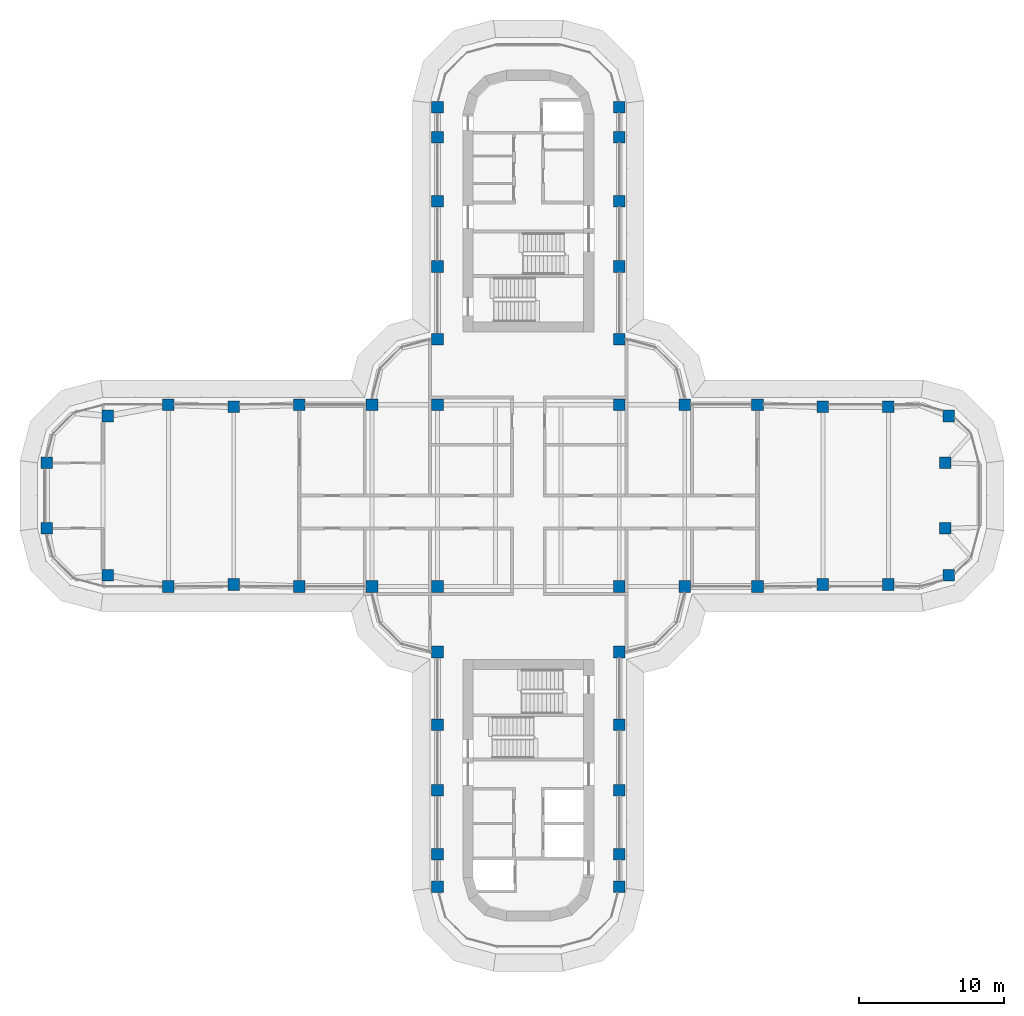
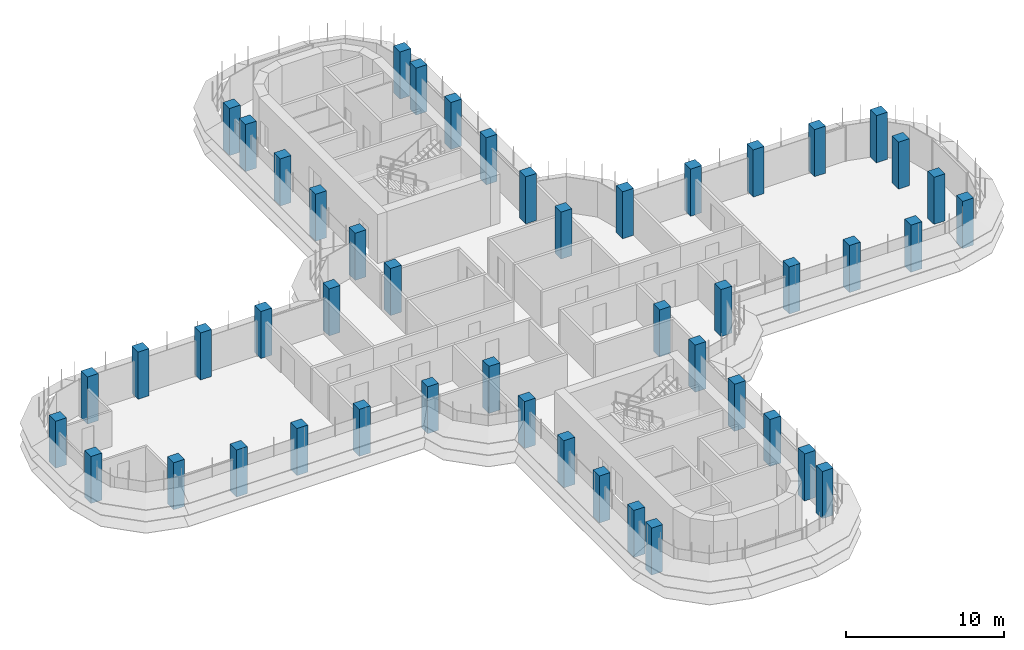
# One storey, part 1 of 20: 48 columns.
"""IFC4 building model written with IfcOpenShell, lengths in metres."""

from ifc_helpers import new_model, si_unit, direction, frame, origin, origin_2d, place, context, subcontext, project, spatial, rectangle, extrude, material, material_profile, profile_set, type_object, element, save


model = new_model("IFC4")

# Units and contexts
model_context = context("Model", 3, precision=1e-05, world=origin(), true_north=direction((0.0, 1.0)))
body_context = subcontext(model_context, "Body", "Model", "MODEL_VIEW")
ifc_project = project(units=[si_unit("LENGTHUNIT", "METRE"), si_unit("AREAUNIT", "SQUARE_METRE"), si_unit("VOLUMEUNIT", "CUBIC_METRE"), si_unit("PLANEANGLEUNIT", "RADIAN"), si_unit("MASSUNIT", "GRAM", prefix="KILO")], contexts=[model_context])

# Site, building, storey
site_placement = place(None, origin())
site = spatial("IfcSite", under=ifc_project, at=site_placement, CompositionType="ELEMENT")
building_placement = place(site_placement, origin())
building = spatial("IfcBuilding", under=site, at=building_placement, Name="Zarbagh Exchange Tower", CompositionType="ELEMENT")
storey_placement = place(building_placement, frame((0.0, 0.0, 163.800048828125)))
storey = spatial("IfcBuildingStorey", under=building, at=storey_placement, Name="L39", CompositionType="ELEMENT", Elevation=163.800048828125)

# Columns
ifc_material = material(Name="Concrete C50/60", Category="concrete")
ifc_material_profile = material_profile(ifc_material, rectangle(XDim=0.800048828125, YDim=0.800048828125, at=origin_2d()), Name="RC column 800 x 800 C50/60")
ifc_profile_set = profile_set([ifc_material_profile], Name="Concrete C50/60")
column_type = type_object("IfcColumnType", Name="RC column 800 x 800 C50/60", PredefinedType="COLUMN", material=ifc_profile_set)
for number, where, z_axis, x_axis, name in (
    (1, (-33.110107421875, -2.25, 0.0), (0.0, 0.0, 1.0), (1.0, 0.0, 0.0), "C4 10/S"),
    (2, (-33.110107421875, 2.25, 0.0), (0.0, 0.0, 1.0), (1.0, 0.0, 0.0), "C4 10/T"),
    (3, (-28.907958984375, -5.47509765625, 0.0), (0.0, 0.0, 1.0), (1.0, 0.0, 0.0), "C4 11/R"),
    (4, (-28.907958984375, 5.47509765625, 0.0), (0.0, 0.0, 1.0), (1.0, 0.0, 0.0), "C4 11/U"),
    (5, (-24.75, -6.25, 0.0), (0.0, 0.0, 1.0), (1.0, 0.0, 0.0), "C4 12/R"),
    (6, (-24.75, 6.25, 0.0), (0.0, 0.0, 1.0), (1.0, 0.0, 0.0), "C4 12/U"),
    (7, (-20.25, -6.110107421875, 0.0), (0.0, 0.0, 1.0), (1.0, 0.0, 0.0), "C4 13/R"),
    (8, (-20.25, 6.110107421875, 0.0), (0.0, 0.0, 1.0), (1.0, 0.0, 0.0), "C4 13/U"),
    (9, (-15.75, -6.25, 0.0), (0.0, 0.0, 1.0), (1.0, 0.0, 0.0), "C4 14/R"),
    (10, (-15.75, 6.25, 0.0), (0.0, 0.0, 1.0), (1.0, 0.0, 0.0), "C4 14/U"),
    (11, (-10.75, -6.25, 0.0), (0.0, 0.0, 1.0), (1.0, 0.0, 0.0), "C4 15/R"),
    (12, (-10.75, 6.25, 0.0), (0.0, 0.0, 1.0), (1.0, 0.0, 0.0), "C4 15/U"),
    (13, (-6.25, -26.89990234375, 0.0), (0.0, 0.0, 1.0), (1.0, 0.0, 0.0), "C4 16/L"),
    (14, (-6.25, -24.64990234375, 0.0), (0.0, 0.0, 1.0), (1.0, 0.0, 0.0), "C4 16/M"),
    (15, (-6.25, -20.25, 0.0), (0.0, 0.0, 1.0), (1.0, 0.0, 0.0), "C4 16/N"),
    (16, (-6.25, -15.75, 0.0), (0.0, 0.0, 1.0), (1.0, 0.0, 0.0), "C4 16/P"),
    (17, (-6.25, -10.75, 0.0), (0.0, 0.0, 1.0), (1.0, 0.0, 0.0), "C4 16/Q"),
    (18, (-6.25, -6.25, 0.0), (0.0, 0.0, 1.0), (1.0, 0.0, 0.0), "C4 16/R"),
    (19, (-6.25, 6.25, 0.0), (0.0, 0.0, 1.0), (1.0, 0.0, 0.0), "C4 16/U"),
    (20, (-6.25, 10.75, 0.0), (0.0, 0.0, 1.0), (1.0, 0.0, 0.0), "C4 16/V"),
    (21, (-6.25, 15.75, 0.0), (0.0, 0.0, 1.0), (1.0, 0.0, 0.0), "C4 16/W"),
    (22, (-6.25, 20.25, 0.0), (0.0, 0.0, 1.0), (1.0, 0.0, 0.0), "C4 16/X"),
    (23, (-6.25, 24.64990234375, 0.0), (0.0, 0.0, 1.0), (1.0, 0.0, 0.0), "C4 16/Y"),
    (24, (-6.25, 26.699951171875, 0.0), (0.0, 0.0, 1.0), (1.0, 0.0, 0.0), "C4 16/Z"),
    (25, (6.25, -26.89990234375, 0.0), (0.0, 0.0, 1.0), (1.0, 0.0, 0.0), "C4 19/L"),
    (26, (6.25, -24.64990234375, 0.0), (0.0, 0.0, 1.0), (1.0, 0.0, 0.0), "C4 19/M"),
    (27, (6.25, -20.25, 0.0), (0.0, 0.0, 1.0), (1.0, 0.0, 0.0), "C4 19/N"),
    (28, (6.25, -15.75, 0.0), (0.0, 0.0, 1.0), (1.0, 0.0, 0.0), "C4 19/P"),
    (29, (6.25, -10.75, 0.0), (0.0, 0.0, 1.0), (1.0, 0.0, 0.0), "C4 19/Q"),
    (30, (6.25, -6.25, 0.0), (0.0, 0.0, 1.0), (1.0, 0.0, 0.0), "C4 19/R"),
    (31, (6.25, 6.25, 0.0), (0.0, 0.0, 1.0), (1.0, 0.0, 0.0), "C4 19/U"),
    (32, (6.25, 10.75, 0.0), (0.0, 0.0, 1.0), (1.0, 0.0, 0.0), "C4 19/V"),
    (33, (6.25, 15.75, 0.0), (0.0, 0.0, 1.0), (1.0, 0.0, 0.0), "C4 19/W"),
    (34, (6.25, 20.25, 0.0), (0.0, 0.0, 1.0), (1.0, 0.0, 0.0), "C4 19/X"),
    (35, (6.25, 24.64990234375, 0.0), (0.0, 0.0, 1.0), (1.0, 0.0, 0.0), "C4 19/Y"),
    (36, (6.25, 26.699951171875, 0.0), (0.0, 0.0, 1.0), (1.0, 0.0, 0.0), "C4 19/Z"),
    (37, (10.75, -6.25, 0.0), (0.0, 0.0, 1.0), (1.0, 0.0, 0.0), "C4 20/R"),
    (38, (10.75, 6.25, 0.0), (0.0, 0.0, 1.0), (1.0, 0.0, 0.0), "C4 20/U"),
    (39, (15.75, -6.25, 0.0), (0.0, 0.0, 1.0), (1.0, 0.0, 0.0), "C4 21/R"),
    (40, (15.75, 6.25, 0.0), (0.0, 0.0, 1.0), (1.0, 0.0, 0.0), "C4 21/U"),
    (41, (20.25, -6.110107421875, 0.0), (0.0, 0.0, 1.0), (1.0, 0.0, 0.0), "C4 22/R"),
    (42, (20.25, 6.110107421875, 0.0), (0.0, 0.0, 1.0), (1.0, 0.0, 0.0), "C4 22/U"),
    (43, (24.75, -6.110107421875, 0.0), (0.0, 0.0, 1.0), (1.0, 0.0, 0.0), "C4 23/R"),
    (44, (24.75, 6.110107421875, 0.0), (0.0, 0.0, 1.0), (1.0, 0.0, 0.0), "C4 23/U"),
    (45, (28.907958984375, -5.47509765625, 0.0), (0.0, 0.0, 1.0), (1.0, 0.0, 0.0), "C4 24/R"),
    (46, (28.669921875, -2.25, 0.0), (0.0, 0.0, 1.0), (1.0, 0.0, 0.0), "C4 24/S"),
    (47, (28.669921875, 2.25, 0.0), (0.0, 0.0, 1.0), (1.0, 0.0, 0.0), "C4 24/T"),
    (48, (28.907958984375, 5.47509765625, 0.0), (0.0, 0.0, 1.0), (1.0, 0.0, 0.0), "C4 24/U"),
):
    element("IfcColumn", number, at=place(storey_placement, frame(where, z_axis=z_axis, x_axis=x_axis)), inside=storey, type_object=column_type, Name=name, PredefinedType="COLUMN", context=body_context, shape_type="SweptSolid", body=[
        extrude(rectangle(XDim=0.800048828125, YDim=0.800048828125, at=origin_2d()), origin(), (0.0, 0.0, 1.0), 3.64990234375),
    ])

save(model, "model.ifc")
